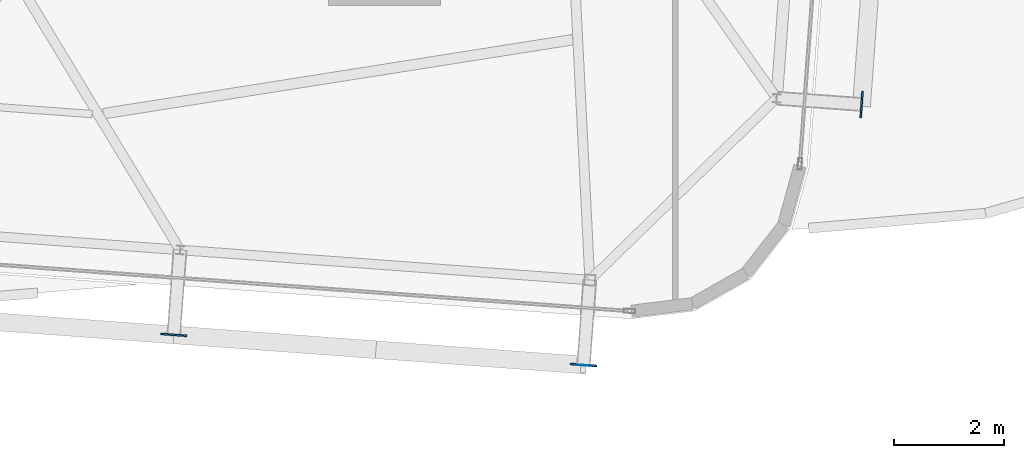
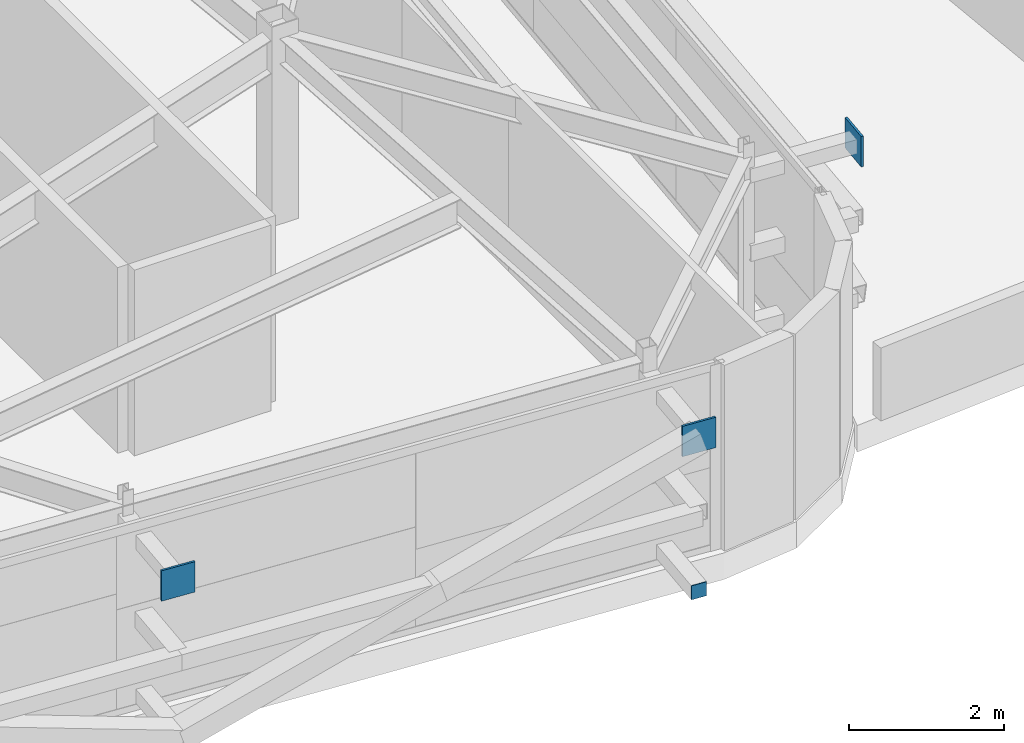
# One storey, part 28 of 37: 4 plates.
"""IFC4 building model written with IfcOpenShell, lengths in metres."""

from ifc_helpers import new_model, si_unit, direction, frame, origin, origin_2d, place, context, subcontext, project, spatial, rectangle, extrude, source, transform, mapped, material, layer, layer_set, type_object, element, save


model = new_model("IFC4")

# Units and contexts
model_context = context("Model", 3, precision=1e-05, world=origin(), true_north=direction((0.0, 1.0)))
body_context = subcontext(model_context, "Body", "Model", "MODEL_VIEW")
ifc_project = project(units=[si_unit("LENGTHUNIT", "METRE"), si_unit("AREAUNIT", "SQUARE_METRE"), si_unit("VOLUMEUNIT", "CUBIC_METRE"), si_unit("PLANEANGLEUNIT", "RADIAN"), si_unit("MASSUNIT", "GRAM", prefix="KILO")], contexts=[model_context])

# Site, building, storey
site_placement = place(None, origin())
site = spatial("IfcSite", under=ifc_project, at=site_placement, CompositionType="ELEMENT")
building_placement = place(site_placement, origin())
building = spatial("IfcBuilding", under=site, at=building_placement, Name="Taldren Reach Tower", CompositionType="ELEMENT")
storey_placement = place(building_placement, frame((0.0, 0.0, 211.39990234375)))
storey = spatial("IfcBuildingStorey", under=building, at=storey_placement, Name="L64", CompositionType="ELEMENT", Elevation=211.39990234375)

# Plates
ifc_material = material(Name="Steel Gr 450 (C450L0)", Category="steel")
ifc_layer_1 = layer(ifc_material, 0.031982421875)
ifc_layer_set_1 = layer_set([ifc_layer_1], Name="Steel Gr 450 (C450L0)")
plate_type_1 = type_object("IfcPlateType", Name="PL-GUSSET-32", PredefinedType="SHEET", material=ifc_layer_set_1)
shared_shape_1 = source(origin(), body_context, "Body", "SweptSolid", [
    extrude(rectangle(XDim=0.47998046875, YDim=0.031982421875, at=origin_2d()), origin(), (0.0, 0.0, 1.0), 0.47998046875),
])
for number, where, z_axis, x_axis, name in (
    (1, (44.86669921875, 2.72314453125, 2.41015625), (0.0, 0.0, 1.0), (0.997314477224, -0.073238197128, 0.0), "Exoskeleton star-node gusset plate B5-S5 L64"),
    (2, (52.32666015625, 2.17529296875, 2.41015625), (0.0, 0.0, 1.0), (0.997314477224, -0.073238197128, 0.0), "Exoskeleton star-node gusset plate B5-S6 L64"),
    (3, (57.3876953125, 6.91748046875, 2.41015625), (0.0, 0.0, 1.0), (0.073238197128, 0.997314477224, 0.0), "Exoskeleton star-node gusset plate B5-E1 L64"),
):
    element("IfcPlate", number, at=place(storey_placement, frame(where, z_axis=z_axis, x_axis=x_axis)), inside=storey, type_object=plate_type_1, Name=name, PredefinedType="SHEET", context=body_context, shape_type="MappedRepresentation", body=[
        mapped(shared_shape_1, transform((0.0, 0.0, 0.0), scale=1.0)),
    ])
ifc_layer_2 = layer(ifc_material, 0.011962890625)
ifc_layer_set_2 = layer_set([ifc_layer_2], Name="Steel Gr 450 (C450L0)")
plate_type_2 = type_object("IfcPlateType", Name="PL-CAP-220", PredefinedType="SHEET", material=ifc_layer_set_2)
shared_shape_2 = source(origin(), body_context, "Body", "SweptSolid", [
    extrude(rectangle(XDim=0.219970703125, YDim=0.011962890625, at=origin_2d()), origin(), (0.0, 0.0, 1.0), 0.219970703125),
])
plate_placement = place(storey_placement, frame((52.326171875, 2.169189453125, 0.1103515625), z_axis=(0.0, 0.0, 1.0), x_axis=(0.997314477224, -0.073238197128, 0.0)))
element("IfcPlate", 4, at=plate_placement, inside=storey, type_object=plate_type_2, Name="Tie strut end cap plate B5-S6 L64", PredefinedType="SHEET", context=body_context, shape_type="MappedRepresentation", body=[
    mapped(shared_shape_2, transform((0.0, 0.0, 0.0), scale=1.0)),
])

save(model, "model.ifc")
